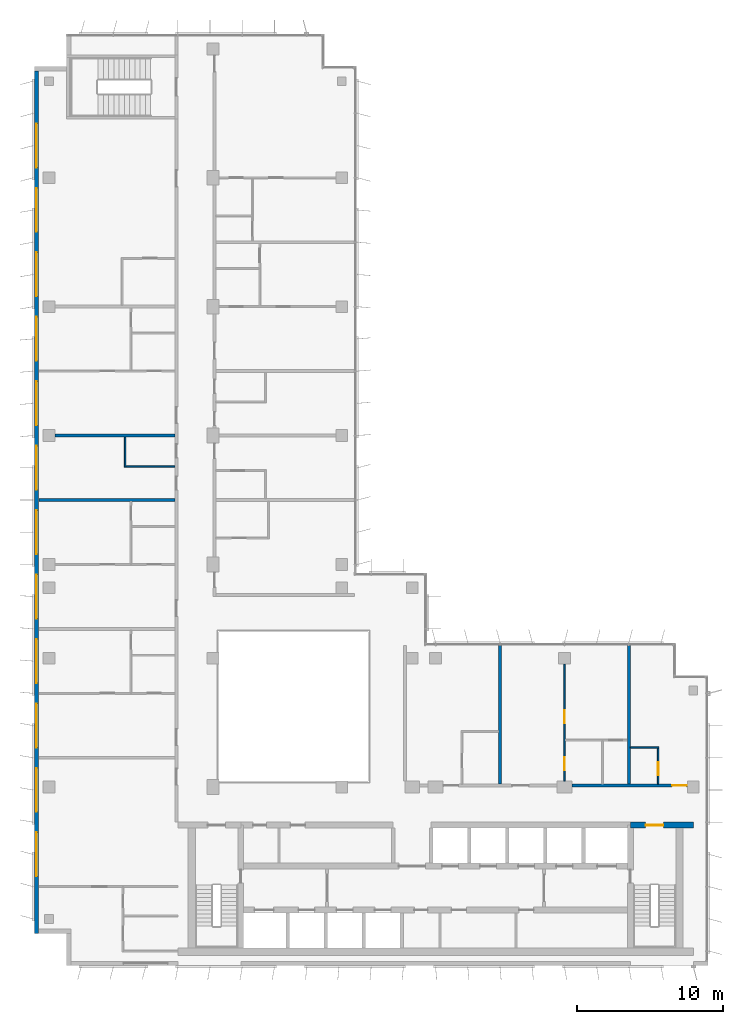
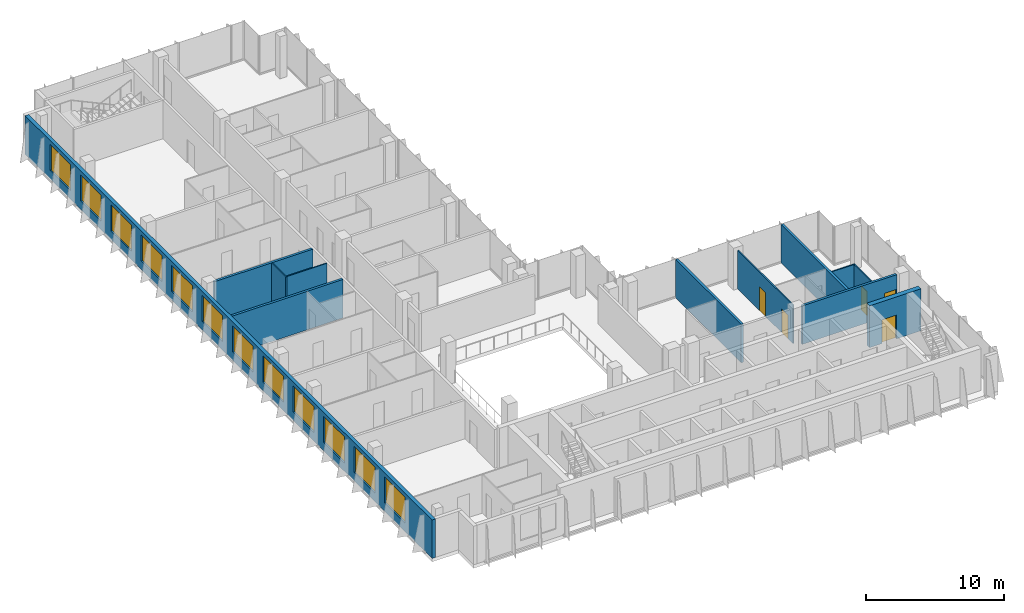
# One storey, part 11 of 16: 12 walls, 12 windows, 5 doors, 17 openings.
"""IFC4 building model written with IfcOpenShell, lengths in metres."""

from ifc_helpers import new_model, si_unit, direction, frame, frame_2d, origin, place, context, subcontext, project, spatial, rectangle, extrude, material, layer, layer_set, type_object, element, fill, save


model = new_model("IFC4")

# Units and contexts
model_context = context("Model", 3, precision=1e-05, world=origin(), true_north=direction((0.0, 1.0)))
body_context = subcontext(model_context, "Body", "Model", "MODEL_VIEW")
ifc_project = project(units=[si_unit("LENGTHUNIT", "METRE"), si_unit("AREAUNIT", "SQUARE_METRE"), si_unit("VOLUMEUNIT", "CUBIC_METRE"), si_unit("PLANEANGLEUNIT", "RADIAN"), si_unit("MASSUNIT", "GRAM", prefix="KILO")], contexts=[model_context])

# Site, building, storey
site_placement = place(None, origin())
site = spatial("IfcSite", under=ifc_project, at=site_placement, CompositionType="ELEMENT")
building_placement = place(site_placement, origin())
building = spatial("IfcBuilding", under=site, at=building_placement, Name="Kemantara Hotel Tower", CompositionType="ELEMENT")
storey_placement = place(building_placement, frame((0.0, 0.0, 287.0)))
storey = spatial("IfcBuildingStorey", under=building, at=storey_placement, Name="L72", CompositionType="ELEMENT", Elevation=287.0)

# Wall, openings, windows
ifc_material_1 = material(Name="Bronze anodised aluminium cladding on insulated steel stud wall", Category="steel")
ifc_layer_1 = layer(ifc_material_1, 0.300048828125)
ifc_layer_set_1 = layer_set([ifc_layer_1], Name="Bronze anodised aluminium cladding on insulated steel stud wall")
wall_type_1 = type_object("IfcWallType", Name="BRONZE METAL-CLAD EXTERNAL WALL 300", PredefinedType="STANDARD", material=ifc_layer_set_1)
wall_1_placement = place(storey_placement, frame((0.14990234375, 61.10009765625, 0.0), z_axis=(0.0, 0.0, 1.0), x_axis=(0.0, -1.0, 0.0)))
wall_1 = element("IfcWall", 1, at=wall_1_placement, inside=storey, type_object=wall_type_1, Name="EXTERNAL WALL L72 T4-R05", PredefinedType="STANDARD", context=body_context, shape_type="SweptSolid", body=[
    extrude(rectangle(XDim=58.900146484375, YDim=0.300048828125, at=frame_2d((29.4501953125, 0.0))), origin(), (0.0, 0.0, 1.0), 3.39990234375),
])
opening_1_placement = place(wall_1_placement, frame((3.60009765625, 0.0, 0.75)))
opening_1 = element("IfcOpeningElement", 2, at=opening_1_placement, cuts=wall_1, Name="Opening W1", PredefinedType="OPENING", context=body_context, shape_type="SweptSolid", body=[
    extrude(rectangle(XDim=3.0, YDim=2.300048828125, at=frame_2d((1.5, 1.14990234375))), frame((0.0, 0.159912109375, 0.0), z_axis=(0.0, -1.0, 0.0), x_axis=(1.0, 0.0, 0.0)), (0.0, 0.0, 1.0), 0.320068359375),
])
opening_2_placement = place(wall_1_placement, frame((8.0, 0.0, 0.75)))
opening_2 = element("IfcOpeningElement", 3, at=opening_2_placement, cuts=wall_1, Name="Opening W1", PredefinedType="OPENING", context=body_context, shape_type="SweptSolid", body=[
    extrude(rectangle(XDim=3.0, YDim=2.300048828125, at=frame_2d((1.5, 1.14990234375))), frame((0.0, 0.159912109375, 0.0), z_axis=(0.0, -1.0, 0.0), x_axis=(1.0, 0.0, 0.0)), (0.0, 0.0, 1.0), 0.320068359375),
])
opening_3_placement = place(wall_1_placement, frame((12.39990234375, 0.0, 0.75)))
opening_3 = element("IfcOpeningElement", 4, at=opening_3_placement, cuts=wall_1, Name="Opening W1", PredefinedType="OPENING", context=body_context, shape_type="SweptSolid", body=[
    extrude(rectangle(XDim=3.0, YDim=2.300048828125, at=frame_2d((1.5, 1.14990234375))), frame((0.0, 0.159912109375, 0.0), z_axis=(0.0, -1.0, 0.0), x_axis=(1.0, 0.0, 0.0)), (0.0, 0.0, 1.0), 0.320068359375),
])
opening_4_placement = place(wall_1_placement, frame((16.800048828125, 0.0, 0.75)))
opening_4 = element("IfcOpeningElement", 5, at=opening_4_placement, cuts=wall_1, Name="Opening W1", PredefinedType="OPENING", context=body_context, shape_type="SweptSolid", body=[
    extrude(rectangle(XDim=3.0, YDim=2.300048828125, at=frame_2d((1.5, 1.14990234375))), frame((0.0, 0.159912109375, 0.0), z_axis=(0.0, -1.0, 0.0), x_axis=(1.0, 0.0, 0.0)), (0.0, 0.0, 1.0), 0.320068359375),
])
opening_5_placement = place(wall_1_placement, frame((21.199951171875, 0.0, 0.75)))
opening_5 = element("IfcOpeningElement", 6, at=opening_5_placement, cuts=wall_1, Name="Opening W1", PredefinedType="OPENING", context=body_context, shape_type="SweptSolid", body=[
    extrude(rectangle(XDim=3.0, YDim=2.300048828125, at=frame_2d((1.5, 1.14990234375))), frame((0.0, 0.159912109375, 0.0), z_axis=(0.0, -1.0, 0.0), x_axis=(1.0, 0.0, 0.0)), (0.0, 0.0, 1.0), 0.320068359375),
])
opening_6_placement = place(wall_1_placement, frame((25.60009765625, 0.0, 0.75)))
opening_6 = element("IfcOpeningElement", 7, at=opening_6_placement, cuts=wall_1, Name="Opening W1", PredefinedType="OPENING", context=body_context, shape_type="SweptSolid", body=[
    extrude(rectangle(XDim=3.0, YDim=2.300048828125, at=frame_2d((1.5, 1.14990234375))), frame((0.0, 0.159912109375, 0.0), z_axis=(0.0, -1.0, 0.0), x_axis=(1.0, 0.0, 0.0)), (0.0, 0.0, 1.0), 0.320068359375),
])
opening_7_placement = place(wall_1_placement, frame((30.0, 0.0, 0.75)))
opening_7 = element("IfcOpeningElement", 8, at=opening_7_placement, cuts=wall_1, Name="Opening W1", PredefinedType="OPENING", context=body_context, shape_type="SweptSolid", body=[
    extrude(rectangle(XDim=3.0, YDim=2.300048828125, at=frame_2d((1.5, 1.14990234375))), frame((0.0, 0.159912109375, 0.0), z_axis=(0.0, -1.0, 0.0), x_axis=(1.0, 0.0, 0.0)), (0.0, 0.0, 1.0), 0.320068359375),
])
opening_8_placement = place(wall_1_placement, frame((34.39990234375, 0.0, 0.75)))
opening_8 = element("IfcOpeningElement", 9, at=opening_8_placement, cuts=wall_1, Name="Opening W1", PredefinedType="OPENING", context=body_context, shape_type="SweptSolid", body=[
    extrude(rectangle(XDim=3.0, YDim=2.300048828125, at=frame_2d((1.5, 1.14990234375))), frame((0.0, 0.159912109375, 0.0), z_axis=(0.0, -1.0, 0.0), x_axis=(1.0, 0.0, 0.0)), (0.0, 0.0, 1.0), 0.320068359375),
])
opening_9_placement = place(wall_1_placement, frame((38.800048828125, 0.0, 0.75)))
opening_9 = element("IfcOpeningElement", 10, at=opening_9_placement, cuts=wall_1, Name="Opening W1", PredefinedType="OPENING", context=body_context, shape_type="SweptSolid", body=[
    extrude(rectangle(XDim=3.0, YDim=2.300048828125, at=frame_2d((1.5, 1.14990234375))), frame((0.0, 0.159912109375, 0.0), z_axis=(0.0, -1.0, 0.0), x_axis=(1.0, 0.0, 0.0)), (0.0, 0.0, 1.0), 0.320068359375),
])
opening_10_placement = place(wall_1_placement, frame((43.199951171875, 0.0, 0.75)))
opening_10 = element("IfcOpeningElement", 11, at=opening_10_placement, cuts=wall_1, Name="Opening W1", PredefinedType="OPENING", context=body_context, shape_type="SweptSolid", body=[
    extrude(rectangle(XDim=3.0, YDim=2.300048828125, at=frame_2d((1.5, 1.14990234375))), frame((0.0, 0.159912109375, 0.0), z_axis=(0.0, -1.0, 0.0), x_axis=(1.0, 0.0, 0.0)), (0.0, 0.0, 1.0), 0.320068359375),
])
opening_11_placement = place(wall_1_placement, frame((47.60009765625, 0.0, 0.75)))
opening_11 = element("IfcOpeningElement", 12, at=opening_11_placement, cuts=wall_1, Name="Opening W1", PredefinedType="OPENING", context=body_context, shape_type="SweptSolid", body=[
    extrude(rectangle(XDim=3.0, YDim=2.300048828125, at=frame_2d((1.5, 1.14990234375))), frame((0.0, 0.159912109375, 0.0), z_axis=(0.0, -1.0, 0.0), x_axis=(1.0, 0.0, 0.0)), (0.0, 0.0, 1.0), 0.320068359375),
])
opening_12_placement = place(wall_1_placement, frame((52.0, 0.0, 0.75)))
opening_12 = element("IfcOpeningElement", 13, at=opening_12_placement, cuts=wall_1, Name="Opening W1", PredefinedType="OPENING", context=body_context, shape_type="SweptSolid", body=[
    extrude(rectangle(XDim=3.0, YDim=2.300048828125, at=frame_2d((1.5, 1.14990234375))), frame((0.0, 0.159912109375, 0.0), z_axis=(0.0, -1.0, 0.0), x_axis=(1.0, 0.0, 0.0)), (0.0, 0.0, 1.0), 0.320068359375),
])
ifc_material_2 = material(Name="Low-E tinted double insulated glass in bronze anodised aluminium frame", Category="aluminium")
window_type = type_object("IfcWindowType", Name="CHICAGO WINDOW, TRIPLE PANEL 3000x2300", PartitioningType="TRIPLE_PANEL_VERTICAL", PredefinedType="WINDOW", material=ifc_material_2)
window_1_placement = place(opening_1_placement, origin())
window_1 = element("IfcWindow", 14, at=window_1_placement, inside=storey, type_object=window_type, Name="CHICAGO WINDOW L72 T4-R05-54", OverallHeight=2.300048828125, OverallWidth=3.0, PartitioningType="SINGLE_PANEL", PredefinedType="WINDOW", context=body_context, shape_type="SweptSolid", body=[
    extrude(rectangle(XDim=3.0, YDim=2.300048828125, at=frame_2d((1.5, 1.14990234375))), frame((0.0, 0.030029296875, 0.0), z_axis=(0.0, -1.0, 0.0), x_axis=(1.0, 0.0, 0.0)), (0.0, 0.0, 1.0), 0.06005859375),
])
fill(opening_1, window_1)
window_2_placement = place(opening_2_placement, origin())
window_2 = element("IfcWindow", 15, at=window_2_placement, inside=storey, type_object=window_type, Name="CHICAGO WINDOW L72 T4-R05-98", OverallHeight=2.300048828125, OverallWidth=3.0, PartitioningType="SINGLE_PANEL", PredefinedType="WINDOW", context=body_context, shape_type="SweptSolid", body=[
    extrude(rectangle(XDim=3.0, YDim=2.300048828125, at=frame_2d((1.5, 1.14990234375))), frame((0.0, 0.030029296875, 0.0), z_axis=(0.0, -1.0, 0.0), x_axis=(1.0, 0.0, 0.0)), (0.0, 0.0, 1.0), 0.06005859375),
])
fill(opening_2, window_2)
window_3_placement = place(opening_3_placement, origin())
window_3 = element("IfcWindow", 16, at=window_3_placement, inside=storey, type_object=window_type, Name="CHICAGO WINDOW L72 T4-R05-142", OverallHeight=2.300048828125, OverallWidth=3.0, PartitioningType="SINGLE_PANEL", PredefinedType="WINDOW", context=body_context, shape_type="SweptSolid", body=[
    extrude(rectangle(XDim=3.0, YDim=2.300048828125, at=frame_2d((1.5, 1.14990234375))), frame((0.0, 0.030029296875, 0.0), z_axis=(0.0, -1.0, 0.0), x_axis=(1.0, 0.0, 0.0)), (0.0, 0.0, 1.0), 0.06005859375),
])
fill(opening_3, window_3)
window_4_placement = place(opening_4_placement, origin())
window_4 = element("IfcWindow", 17, at=window_4_placement, inside=storey, type_object=window_type, Name="CHICAGO WINDOW L72 T4-R05-186", OverallHeight=2.300048828125, OverallWidth=3.0, PartitioningType="SINGLE_PANEL", PredefinedType="WINDOW", context=body_context, shape_type="SweptSolid", body=[
    extrude(rectangle(XDim=3.0, YDim=2.300048828125, at=frame_2d((1.5, 1.14990234375))), frame((0.0, 0.030029296875, 0.0), z_axis=(0.0, -1.0, 0.0), x_axis=(1.0, 0.0, 0.0)), (0.0, 0.0, 1.0), 0.06005859375),
])
fill(opening_4, window_4)
window_5_placement = place(opening_5_placement, origin())
window_5 = element("IfcWindow", 18, at=window_5_placement, inside=storey, type_object=window_type, Name="CHICAGO WINDOW L72 T4-R05-230", OverallHeight=2.300048828125, OverallWidth=3.0, PartitioningType="SINGLE_PANEL", PredefinedType="WINDOW", context=body_context, shape_type="SweptSolid", body=[
    extrude(rectangle(XDim=3.0, YDim=2.300048828125, at=frame_2d((1.5, 1.14990234375))), frame((0.0, 0.030029296875, 0.0), z_axis=(0.0, -1.0, 0.0), x_axis=(1.0, 0.0, 0.0)), (0.0, 0.0, 1.0), 0.06005859375),
])
fill(opening_5, window_5)
window_6_placement = place(opening_6_placement, origin())
window_6 = element("IfcWindow", 19, at=window_6_placement, inside=storey, type_object=window_type, Name="CHICAGO WINDOW L72 T4-R05-274", OverallHeight=2.300048828125, OverallWidth=3.0, PartitioningType="SINGLE_PANEL", PredefinedType="WINDOW", context=body_context, shape_type="SweptSolid", body=[
    extrude(rectangle(XDim=3.0, YDim=2.300048828125, at=frame_2d((1.5, 1.14990234375))), frame((0.0, 0.030029296875, 0.0), z_axis=(0.0, -1.0, 0.0), x_axis=(1.0, 0.0, 0.0)), (0.0, 0.0, 1.0), 0.06005859375),
])
fill(opening_6, window_6)
window_7_placement = place(opening_7_placement, origin())
window_7 = element("IfcWindow", 20, at=window_7_placement, inside=storey, type_object=window_type, Name="CHICAGO WINDOW L72 T4-R05-318", OverallHeight=2.300048828125, OverallWidth=3.0, PartitioningType="SINGLE_PANEL", PredefinedType="WINDOW", context=body_context, shape_type="SweptSolid", body=[
    extrude(rectangle(XDim=3.0, YDim=2.300048828125, at=frame_2d((1.5, 1.14990234375))), frame((0.0, 0.030029296875, 0.0), z_axis=(0.0, -1.0, 0.0), x_axis=(1.0, 0.0, 0.0)), (0.0, 0.0, 1.0), 0.06005859375),
])
fill(opening_7, window_7)
window_8_placement = place(opening_8_placement, origin())
window_8 = element("IfcWindow", 21, at=window_8_placement, inside=storey, type_object=window_type, Name="CHICAGO WINDOW L72 T4-R05-362", OverallHeight=2.300048828125, OverallWidth=3.0, PartitioningType="SINGLE_PANEL", PredefinedType="WINDOW", context=body_context, shape_type="SweptSolid", body=[
    extrude(rectangle(XDim=3.0, YDim=2.300048828125, at=frame_2d((1.5, 1.14990234375))), frame((0.0, 0.030029296875, 0.0), z_axis=(0.0, -1.0, 0.0), x_axis=(1.0, 0.0, 0.0)), (0.0, 0.0, 1.0), 0.06005859375),
])
fill(opening_8, window_8)
window_9_placement = place(opening_9_placement, origin())
window_9 = element("IfcWindow", 22, at=window_9_placement, inside=storey, type_object=window_type, Name="CHICAGO WINDOW L72 T4-R05-406", OverallHeight=2.300048828125, OverallWidth=3.0, PartitioningType="SINGLE_PANEL", PredefinedType="WINDOW", context=body_context, shape_type="SweptSolid", body=[
    extrude(rectangle(XDim=3.0, YDim=2.300048828125, at=frame_2d((1.5, 1.14990234375))), frame((0.0, 0.030029296875, 0.0), z_axis=(0.0, -1.0, 0.0), x_axis=(1.0, 0.0, 0.0)), (0.0, 0.0, 1.0), 0.06005859375),
])
fill(opening_9, window_9)
window_10_placement = place(opening_10_placement, origin())
window_10 = element("IfcWindow", 23, at=window_10_placement, inside=storey, type_object=window_type, Name="CHICAGO WINDOW L72 T4-R05-450", OverallHeight=2.300048828125, OverallWidth=3.0, PartitioningType="SINGLE_PANEL", PredefinedType="WINDOW", context=body_context, shape_type="SweptSolid", body=[
    extrude(rectangle(XDim=3.0, YDim=2.300048828125, at=frame_2d((1.5, 1.14990234375))), frame((0.0, 0.030029296875, 0.0), z_axis=(0.0, -1.0, 0.0), x_axis=(1.0, 0.0, 0.0)), (0.0, 0.0, 1.0), 0.06005859375),
])
fill(opening_10, window_10)
window_11_placement = place(opening_11_placement, origin())
window_11 = element("IfcWindow", 24, at=window_11_placement, inside=storey, type_object=window_type, Name="CHICAGO WINDOW L72 T4-R05-494", OverallHeight=2.300048828125, OverallWidth=3.0, PartitioningType="SINGLE_PANEL", PredefinedType="WINDOW", context=body_context, shape_type="SweptSolid", body=[
    extrude(rectangle(XDim=3.0, YDim=2.300048828125, at=frame_2d((1.5, 1.14990234375))), frame((0.0, 0.030029296875, 0.0), z_axis=(0.0, -1.0, 0.0), x_axis=(1.0, 0.0, 0.0)), (0.0, 0.0, 1.0), 0.06005859375),
])
fill(opening_11, window_11)
window_12_placement = place(opening_12_placement, origin())
window_12 = element("IfcWindow", 25, at=window_12_placement, inside=storey, type_object=window_type, Name="CHICAGO WINDOW L72 T4-R05-538", OverallHeight=2.300048828125, OverallWidth=3.0, PartitioningType="SINGLE_PANEL", PredefinedType="WINDOW", context=body_context, shape_type="SweptSolid", body=[
    extrude(rectangle(XDim=3.0, YDim=2.300048828125, at=frame_2d((1.5, 1.14990234375))), frame((0.0, 0.030029296875, 0.0), z_axis=(0.0, -1.0, 0.0), x_axis=(1.0, 0.0, 0.0)), (0.0, 0.0, 1.0), 0.06005859375),
])
fill(opening_12, window_12)

# Wall, opening, door
ifc_material_3 = material(Name="Concrete fc 50 MPa", Category="concrete")
ifc_layer_2 = layer(ifc_material_3, 0.39990234375)
ifc_layer_set_2 = layer_set([ifc_layer_2], Name="Concrete fc 50 MPa")
wall_type_2 = type_object("IfcWallType", Name="CORE WALL 400 FC50", PredefinedType="SHEAR", material=ifc_layer_set_2)
wall_2_placement = place(storey_placement, frame((40.699951171875, 9.60009765625, 0.0), z_axis=(0.0, 0.0, 1.0), x_axis=(1.0, 0.0, 0.0)))
wall_2 = element("IfcWall", 26, at=wall_2_placement, inside=storey, type_object=wall_type_2, Name="CORE WALL CW-N2", PredefinedType="SHEAR", context=body_context, shape_type="SweptSolid", body=[
    extrude(rectangle(XDim=4.300048828125, YDim=0.39990234375, at=frame_2d((2.14990234375, 0.0))), origin(), (0.0, 0.0, 1.0), 3.699951171875),
])
opening_13_placement = place(wall_2_placement, frame((1.050048828125, 0.0, 0.0)))
opening_13 = element("IfcOpeningElement", 27, at=opening_13_placement, cuts=wall_2, Name="Opening C41-ST2-C", PredefinedType="OPENING", context=body_context, shape_type="SweptSolid", body=[
    extrude(rectangle(XDim=1.199951171875, YDim=2.10009765625, at=frame_2d((0.60009765625, 1.050048828125))), frame((0.0, 0.2099609375, 0.0), z_axis=(0.0, -1.0, 0.0), x_axis=(1.0, 0.0, 0.0)), (0.0, 0.0, 1.0), 0.419921875),
])
ifc_material_4 = material(Name="Steel fire door", Category="steel")
door_type_1 = type_object("IfcDoorType", Name="Fire door FD90 1200 x 2100", OperationType="NOTDEFINED", PredefinedType="DOOR", material=ifc_material_4)
door_1_placement = place(opening_13_placement, frame((1.199951171875, 0.0, 0.0), z_axis=(0.0, 0.0, 1.0), x_axis=(-1.0, 0.0, 0.0)))
door_1 = element("IfcDoor", 28, at=door_1_placement, inside=storey, type_object=door_type_1, Name="Stair ST2 door to corridor", OperationType="SINGLE_SWING_RIGHT", OverallHeight=2.10009765625, OverallWidth=1.199951171875, PredefinedType="DOOR", context=body_context, shape_type="SweptSolid", body=[
    extrude(rectangle(XDim=1.199951171875, YDim=2.10009765625, at=frame_2d((0.60009765625, 1.050048828125))), frame((0.0, 0.02490234375, 0.0), z_axis=(0.0, -1.0, 0.0), x_axis=(1.0, 0.0, 0.0)), (0.0, 0.0, 1.0), 0.050048828125),
])
fill(opening_13, door_1)

ifc_material_5 = material(Name="Gypsum board partition, steel studs and mineral wool, 200 mm", Category="steel")
ifc_layer_3 = layer(ifc_material_5, 0.199951171875)
ifc_layer_set_3 = layer_set([ifc_layer_3], Name="Gypsum board partition, steel studs and mineral wool, 200 mm")
wall_type_3 = type_object("IfcWallType", Name="CORRIDOR WALL 200", PredefinedType="PARTITIONING", material=ifc_layer_set_3)
wall_3_placement = place(storey_placement, frame((36.7001953125, 12.300048828125, 0.0), z_axis=(0.0, 0.0, 1.0), x_axis=(1.0, 0.0, 0.0)))
wall_3 = element("IfcWall", 29, at=wall_3_placement, inside=storey, type_object=wall_type_3, Name="CORRIDOR WALL 200 003", PredefinedType="PARTITIONING", context=body_context, shape_type="SweptSolid", body=[
    extrude(rectangle(XDim=7.899658203125, YDim=0.199951171875, at=frame_2d((3.94970703125, 0.0))), origin(), (0.0, 0.0, 1.0), 3.39990234375),
])
opening_14_placement = place(wall_3_placement, frame((6.849853515625, 0.0, 0.0)))
opening_14 = element("IfcOpeningElement", 30, at=opening_14_placement, cuts=wall_3, Name="Opening F35-007", PredefinedType="OPENING", context=body_context, shape_type="SweptSolid", body=[
    extrude(rectangle(XDim=1.0, YDim=2.10009765625, at=frame_2d((0.5, 1.050048828125))), frame((0.0, 0.10986328125, 0.0), z_axis=(0.0, -1.0, 0.0), x_axis=(1.0, 0.0, 0.0)), (0.0, 0.0, 1.0), 0.219970703125),
])
ifc_material_6 = material(Name="Hardwood veneer door leaf with steel frame", Category="steel")
door_type_2 = type_object("IfcDoorType", Name="GUEST ROOM DOOR 1000 X 2100 FD30S", OperationType="NOTDEFINED", PredefinedType="DOOR", material=ifc_material_6)
door_2_placement = place(opening_14_placement, origin())
door_2 = element("IfcDoor", 31, at=door_2_placement, inside=storey, type_object=door_type_2, Name="GUEST ROOM DOOR F35-007", OperationType="SINGLE_SWING_RIGHT", OverallHeight=2.10009765625, OverallWidth=1.0, PredefinedType="DOOR", context=body_context, shape_type="SweptSolid", body=[
    extrude(rectangle(XDim=1.0, YDim=2.10009765625, at=frame_2d((0.5, 1.050048828125))), frame((0.0, 0.02490234375, 0.0), z_axis=(0.0, -1.0, 0.0), x_axis=(1.0, 0.0, 0.0)), (0.0, 0.0, 1.0), 0.050048828125),
])
fill(opening_14, door_2)

# Walls
ifc_layer_4 = layer(ifc_material_5, 0.199951171875)
ifc_layer_set_4 = layer_set([ifc_layer_4], Name="Gypsum board partition, steel studs and mineral wool, 200 mm")
wall_type_4 = type_object("IfcWallType", Name="GUEST ROOM PARTY WALL 200", PredefinedType="PARTITIONING", material=ifc_layer_set_4)
for number, where, z_axis, x_axis, name in (
    (32, (31.800048828125, 12.39990234375, 0.0), (0.0, 0.0, 1.0), (0.0, 1.0, 0.0), "GUEST ROOM PARTY WALL 200 005"),
    (33, (40.60009765625, 12.39990234375, 0.0), (0.0, 0.0, 1.0), (0.0, 1.0, 0.0), "GUEST ROOM PARTY WALL 200 006"),
):
    element("IfcWall", number, at=place(storey_placement, frame(where, z_axis=z_axis, x_axis=x_axis)), inside=storey, type_object=wall_type_4, Name=name, PredefinedType="PARTITIONING", context=body_context, shape_type="SweptSolid", body=[
        extrude(rectangle(XDim=9.47021484375, YDim=0.199951171875, at=frame_2d((4.735107421875, 0.0))), origin(), (0.0, 0.0, 1.0), 3.39990234375),
    ])
wall_4_placement = place(storey_placement, frame((0.31005859375, 31.800048828125, 0.0), z_axis=(0.0, 0.0, 1.0), x_axis=(1.0, 0.0, 0.0)))
element("IfcWall", 34, at=wall_4_placement, inside=storey, type_object=wall_type_4, Name="GUEST ROOM PARTY WALL 200 011", PredefinedType="PARTITIONING", context=body_context, shape_type="SweptSolid", body=[
    extrude(rectangle(XDim=9.2900390625, YDim=0.199951171875, at=frame_2d((4.64501953125, 0.0))), origin(), (0.0, 0.0, 1.0), 3.39990234375),
])
wall_5_placement = place(storey_placement, frame((1.400146484375, 36.199951171875, 0.0), z_axis=(0.0, 0.0, 1.0), x_axis=(1.0, 0.0, 0.0)))
element("IfcWall", 35, at=wall_5_placement, inside=storey, type_object=wall_type_4, Name="GUEST ROOM PARTY WALL 200 013", PredefinedType="PARTITIONING", context=body_context, shape_type="SweptSolid", body=[
    extrude(rectangle(XDim=8.199951171875, YDim=0.199951171875, at=frame_2d((4.10009765625, 0.0))), origin(), (0.0, 0.0, 1.0), 3.39990234375),
])

# Wall, openings, doors
ifc_material_7 = material(Name="Gypsum board partition on steel studs, 100 mm", Category="steel")
ifc_layer_5 = layer(ifc_material_7, 0.10009765625)
ifc_layer_set_5 = layer_set([ifc_layer_5], Name="Gypsum board partition on steel studs, 100 mm")
wall_type_5 = type_object("IfcWallType", Name="ROOM PARTITION 100", PredefinedType="PARTITIONING", material=ifc_layer_set_5)
wall_6_placement = place(storey_placement, frame((36.199951171875, 12.60009765625, 0.0), z_axis=(0.0, 0.0, 1.0), x_axis=(0.0, 1.0, 0.0)))
wall_6 = element("IfcWall", 36, at=wall_6_placement, inside=storey, type_object=wall_type_5, Name="ROOM PARTITION 100 027", PredefinedType="PARTITIONING", context=body_context, shape_type="SweptSolid", body=[
    extrude(rectangle(XDim=7.999755859375, YDim=0.10009765625, at=frame_2d((4.0, 0.0))), origin(), (0.0, 0.0, 1.0), 3.39990234375),
])
opening_15_placement = place(wall_6_placement, frame((0.75, 0.0, 0.0)))
opening_15 = element("IfcOpeningElement", 37, at=opening_15_placement, cuts=wall_6, Name="Opening F35-004", PredefinedType="OPENING", context=body_context, shape_type="SweptSolid", body=[
    extrude(rectangle(XDim=0.89990234375, YDim=2.10009765625, at=frame_2d((0.449951171875, 1.050048828125))), frame((0.0, 0.06005859375, 0.0), z_axis=(0.0, -1.0, 0.0), x_axis=(1.0, 0.0, 0.0)), (0.0, 0.0, 1.0), 0.1201171875),
])
opening_16_placement = place(wall_6_placement, frame((3.949951171875, 0.0, 0.0)))
opening_16 = element("IfcOpeningElement", 38, at=opening_16_placement, cuts=wall_6, Name="Opening F35-005", PredefinedType="OPENING", context=body_context, shape_type="SweptSolid", body=[
    extrude(rectangle(XDim=0.89990234375, YDim=2.10009765625, at=frame_2d((0.449951171875, 1.050048828125))), frame((0.0, 0.06005859375, 0.0), z_axis=(0.0, -1.0, 0.0), x_axis=(1.0, 0.0, 0.0)), (0.0, 0.0, 1.0), 0.1201171875),
])
door_type_3 = type_object("IfcDoorType", Name="INTERNAL DOOR 900 X 2100", OperationType="NOTDEFINED", PredefinedType="DOOR", material=ifc_material_6)
door_3_placement = place(opening_16_placement, frame((0.89990234375, 0.0, 0.0), z_axis=(0.0, 0.0, 1.0), x_axis=(-1.0, 0.0, 0.0)))
door_3 = element("IfcDoor", 39, at=door_3_placement, inside=storey, type_object=door_type_3, Name="INTERNAL DOOR F35-005", OperationType="SINGLE_SWING_LEFT", OverallHeight=2.10009765625, OverallWidth=0.89990234375, PredefinedType="DOOR", context=body_context, shape_type="SweptSolid", body=[
    extrude(rectangle(XDim=0.89990234375, YDim=2.10009765625, at=frame_2d((0.449951171875, 1.050048828125))), frame((0.0, 0.02490234375, 0.0), z_axis=(0.0, -1.0, 0.0), x_axis=(1.0, 0.0, 0.0)), (0.0, 0.0, 1.0), 0.050048828125),
])
fill(opening_16, door_3)
door_type_4 = type_object("IfcDoorType", Name="PANTRY DOOR 900 X 2100", OperationType="NOTDEFINED", PredefinedType="DOOR", material=ifc_material_6)
door_4_placement = place(opening_15_placement, origin())
door_4 = element("IfcDoor", 40, at=door_4_placement, inside=storey, type_object=door_type_4, Name="PANTRY DOOR F35-004", OperationType="SINGLE_SWING_LEFT", OverallHeight=2.10009765625, OverallWidth=0.89990234375, PredefinedType="DOOR", context=body_context, shape_type="SweptSolid", body=[
    extrude(rectangle(XDim=0.89990234375, YDim=2.10009765625, at=frame_2d((0.449951171875, 1.050048828125))), frame((0.0, 0.02490234375, 0.0), z_axis=(0.0, -1.0, 0.0), x_axis=(1.0, 0.0, 0.0)), (0.0, 0.0, 1.0), 0.050048828125),
])
fill(opening_15, door_4)

# Wall
wall_7_placement = place(storey_placement, frame((40.699951171875, 14.89990234375, 0.0), z_axis=(0.0, 0.0, 1.0), x_axis=(1.0, 0.0, 0.0)))
element("IfcWall", 41, at=wall_7_placement, inside=storey, type_object=wall_type_5, Name="ROOM PARTITION 100 029", PredefinedType="PARTITIONING", context=body_context, shape_type="SweptSolid", body=[
    extrude(rectangle(XDim=1.949951171875, YDim=0.10009765625, at=frame_2d((0.97509765625, 0.0))), origin(), (0.0, 0.0, 1.0), 3.39990234375),
])

# Wall, opening, door
wall_8_placement = place(storey_placement, frame((42.60009765625, 12.39990234375, 0.0), z_axis=(0.0, 0.0, 1.0), x_axis=(0.0, 1.0, 0.0)))
wall_8 = element("IfcWall", 42, at=wall_8_placement, inside=storey, type_object=wall_type_5, Name="ROOM PARTITION 100 030", PredefinedType="PARTITIONING", context=body_context, shape_type="SweptSolid", body=[
    extrude(rectangle(XDim=2.4501953125, YDim=0.10009765625, at=frame_2d((1.22509765625, 0.0))), origin(), (0.0, 0.0, 1.0), 3.39990234375),
])
opening_17_placement = place(wall_8_placement, frame((0.60009765625, 0.0, 0.0)))
opening_17 = element("IfcOpeningElement", 43, at=opening_17_placement, cuts=wall_8, Name="Opening F35-008", PredefinedType="OPENING", context=body_context, shape_type="SweptSolid", body=[
    extrude(rectangle(XDim=0.89990234375, YDim=2.10009765625, at=frame_2d((0.449951171875, 1.050048828125))), frame((0.0, 0.06005859375, 0.0), z_axis=(0.0, -1.0, 0.0), x_axis=(1.0, 0.0, 0.0)), (0.0, 0.0, 1.0), 0.1201171875),
])
door_type_5 = type_object("IfcDoorType", Name="BATHROOM DOOR 900 X 2100", OperationType="NOTDEFINED", PredefinedType="DOOR", material=ifc_material_6)
door_5_placement = place(opening_17_placement, origin())
door_5 = element("IfcDoor", 44, at=door_5_placement, inside=storey, type_object=door_type_5, Name="BATHROOM DOOR F35-008", OperationType="SINGLE_SWING_LEFT", OverallHeight=2.10009765625, OverallWidth=0.89990234375, PredefinedType="DOOR", context=body_context, shape_type="SweptSolid", body=[
    extrude(rectangle(XDim=0.89990234375, YDim=2.10009765625, at=frame_2d((0.449951171875, 1.050048828125))), frame((0.0, 0.02490234375, 0.0), z_axis=(0.0, -1.0, 0.0), x_axis=(1.0, 0.0, 0.0)), (0.0, 0.0, 1.0), 0.050048828125),
])
fill(opening_17, door_5)

# Walls
wall_9_placement = place(storey_placement, frame((6.199951171875, 34.050048828125, 0.0), z_axis=(0.0, 0.0, 1.0), x_axis=(0.0, 1.0, 0.0)))
element("IfcWall", 45, at=wall_9_placement, inside=storey, type_object=wall_type_5, Name="ROOM PARTITION 100 042", PredefinedType="PARTITIONING", context=body_context, shape_type="SweptSolid", body=[
    extrude(rectangle(XDim=2.050048828125, YDim=0.10009765625, at=frame_2d((1.02490234375, 0.0))), origin(), (0.0, 0.0, 1.0), 3.39990234375),
])
wall_10_placement = place(storey_placement, frame((6.25, 34.10009765625, 0.0), z_axis=(0.0, 0.0, 1.0), x_axis=(1.0, 0.0, 0.0)))
element("IfcWall", 46, at=wall_10_placement, inside=storey, type_object=wall_type_5, Name="ROOM PARTITION 100 043", PredefinedType="PARTITIONING", context=body_context, shape_type="SweptSolid", body=[
    extrude(rectangle(XDim=3.35009765625, YDim=0.10009765625, at=frame_2d((1.675048828125, 0.0))), origin(), (0.0, 0.0, 1.0), 3.39990234375),
])

save(model, "model.ifc")
